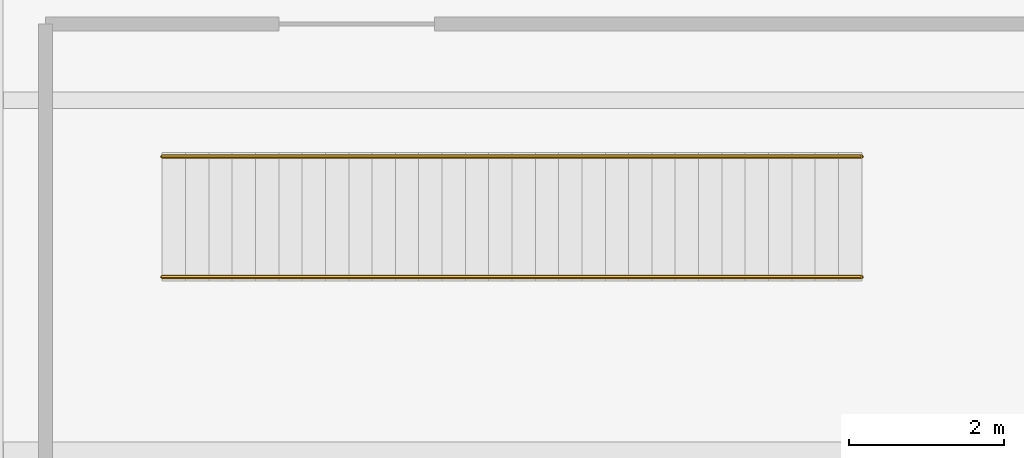
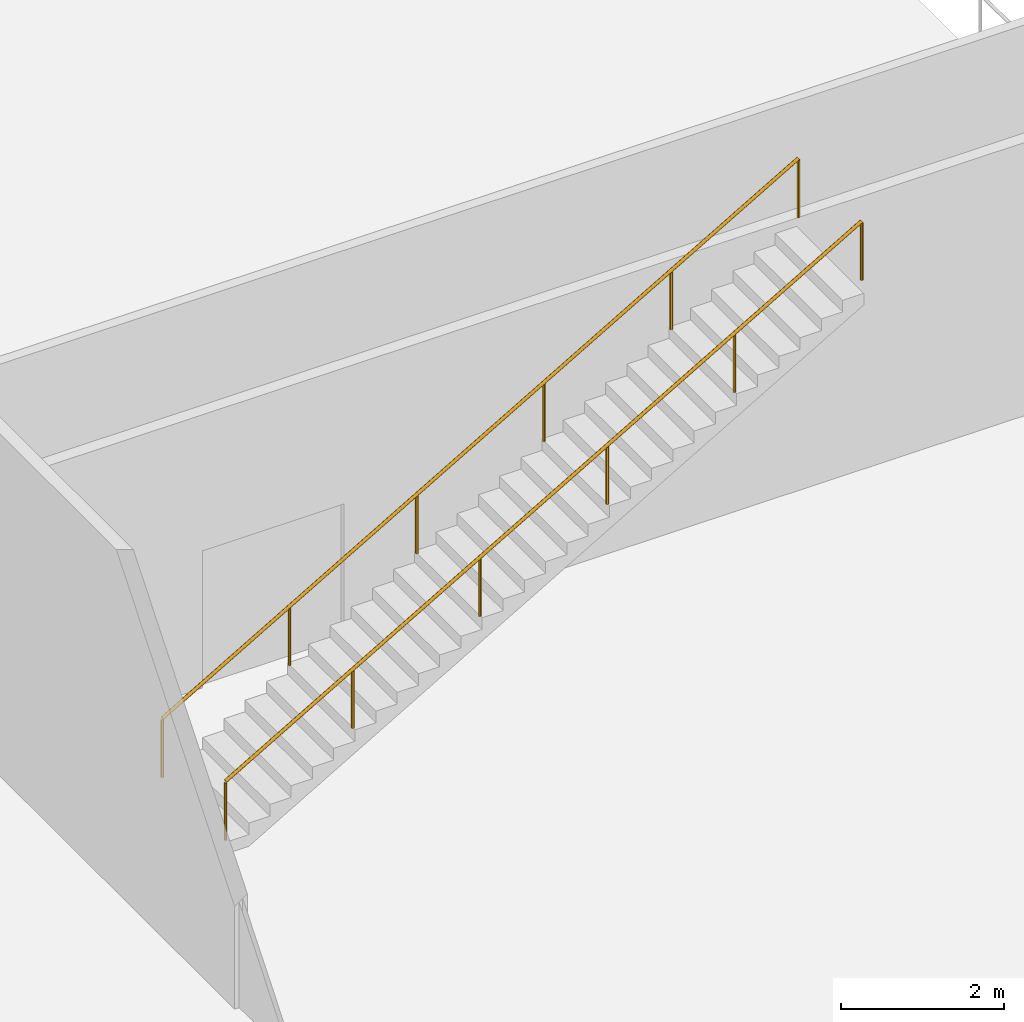
# One storey, part 21 of 26: 2 railings.
"""IFC4 building model written with IfcOpenShell, lengths in metres."""

from ifc_helpers import new_model, si_unit, direction, frame, origin, origin_2d, place, context, subcontext, project, spatial, circle, extrude, material, type_object, element, save


model = new_model("IFC4")

# Units and contexts
model_context = context("Model", 3, precision=1e-05, world=origin(), true_north=direction((0.0, 1.0)))
body_context = subcontext(model_context, "Body", "Model", "MODEL_VIEW")
ifc_project = project(units=[si_unit("LENGTHUNIT", "METRE"), si_unit("AREAUNIT", "SQUARE_METRE"), si_unit("VOLUMEUNIT", "CUBIC_METRE"), si_unit("PLANEANGLEUNIT", "RADIAN"), si_unit("MASSUNIT", "GRAM", prefix="KILO")], contexts=[model_context])

# Site, building, storey
site_placement = place(None, origin())
site = spatial("IfcSite", under=ifc_project, at=site_placement, CompositionType="ELEMENT")
building_placement = place(site_placement, origin())
building = spatial("IfcBuilding", under=site, at=building_placement, Name="Varnelok Gate Tower", CompositionType="ELEMENT")
storey_placement = place(building_placement, origin())
storey = spatial("IfcBuildingStorey", under=building, at=storey_placement, Name="L00", CompositionType="ELEMENT", Elevation=0.0)

# Railings
ifc_material = material(Name="Brushed Stainless Steel AISI 316", Category="steel")
railing_type = type_object("IfcRailingType", Name="RL-HANDRAIL-900", PredefinedType="HANDRAIL", material=ifc_material)
for number, where, name in (
    (1, (56.199951171875, 12.72509765625, 0.17431640625), "ST-5-L00E Handrail L"),
    (2, (56.199951171875, 14.27490234375, 0.17431640625), "ST-5-L00E Handrail R"),
):
    element("IfcRailing", number, at=place(storey_placement, frame(where)), inside=storey, type_object=railing_type, Name=name, PredefinedType="HANDRAIL", context=body_context, shape_type="SweptSolid", body=[
        extrude(circle(Radius=0.02392578125, at=origin_2d()), frame((0.0, 0.0, 0.8759765625), z_axis=(0.864798147564, 0.0, 0.502119670965), x_axis=(0.0, 1.0, 0.0)), (0.0, 0.0, 1.0), 10.406982421875),
        extrude(circle(Radius=0.02099609375, at=origin_2d()), origin(), (0.0, 0.0, 1.0), 0.851806640625),
        extrude(circle(Radius=0.02099609375, at=origin_2d()), frame((1.800048828125, 0.0, 1.045166015625)), (0.0, 0.0, 1.0), 0.851806640625),
        extrude(circle(Radius=0.02099609375, at=origin_2d()), frame((3.60009765625, 0.0, 2.09033203125)), (0.0, 0.0, 1.0), 0.851806640625),
        extrude(circle(Radius=0.02099609375, at=origin_2d()), frame((5.39990234375, 0.0, 3.13525390625)), (0.0, 0.0, 1.0), 0.851806640625),
        extrude(circle(Radius=0.02099609375, at=origin_2d()), frame((7.199951171875, 0.0, 4.180419921875)), (0.0, 0.0, 1.0), 0.851806640625),
        extrude(circle(Radius=0.02099609375, at=origin_2d()), frame((9.0, 0.0, 5.2255859375)), (0.0, 0.0, 1.0), 0.851806640625),
    ])

save(model, "model.ifc")
